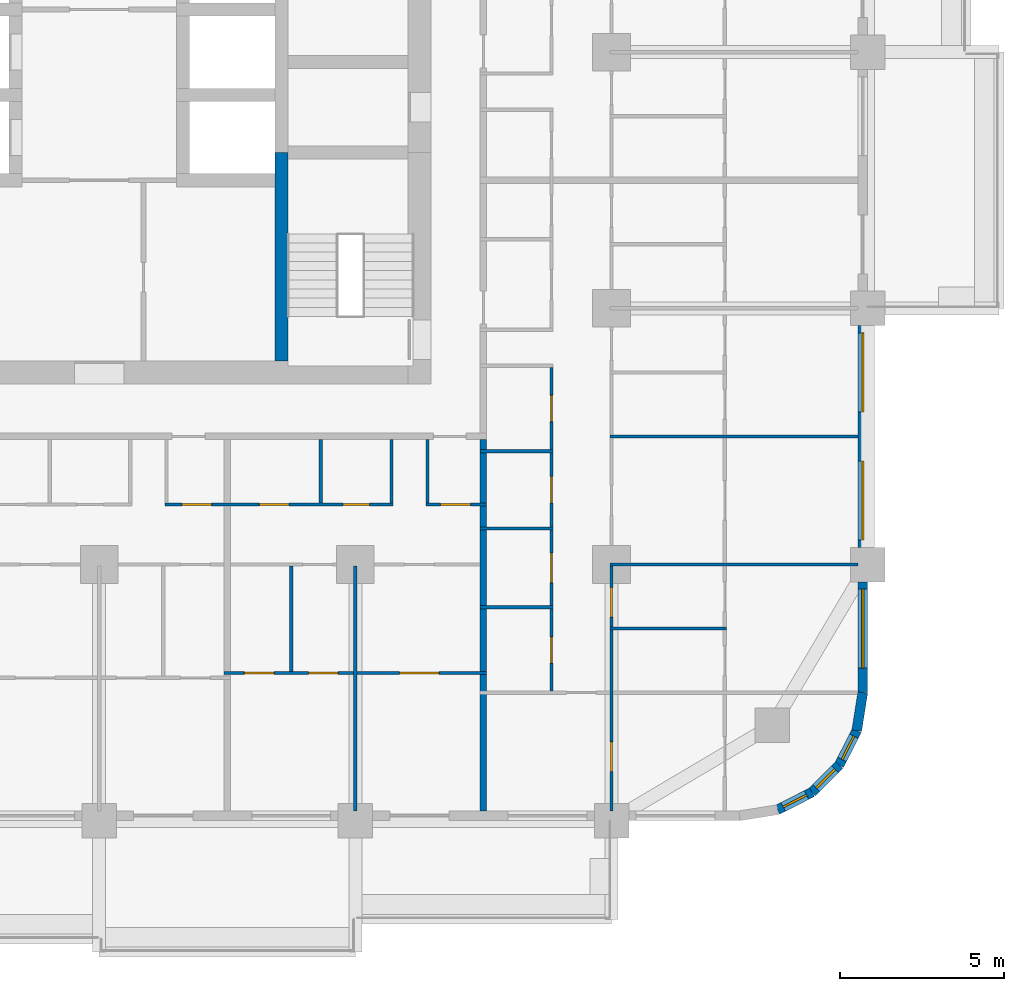
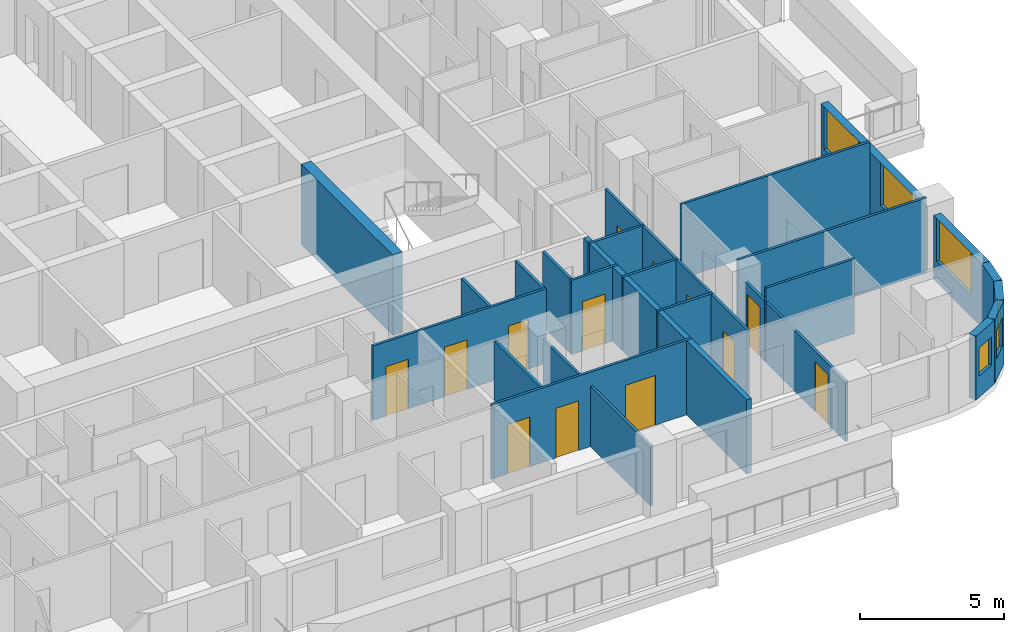
# One storey, part 7 of 17: 24 walls, 13 doors, 6 windows, 19 openings.
"""IFC4 building model written with IfcOpenShell, lengths in metres."""

from ifc_helpers import new_model, si_unit, direction, frame, frame_2d, origin, place, context, subcontext, project, spatial, rectangle, extrude, material, layer, layer_set, type_object, element, fill, save


model = new_model("IFC4")

# Units and contexts
model_context = context("Model", 3, precision=1e-05, world=origin(), true_north=direction((0.0, 1.0)))
body_context = subcontext(model_context, "Body", "Model", "MODEL_VIEW")
ifc_project = project(units=[si_unit("LENGTHUNIT", "METRE"), si_unit("AREAUNIT", "SQUARE_METRE"), si_unit("VOLUMEUNIT", "CUBIC_METRE"), si_unit("PLANEANGLEUNIT", "RADIAN"), si_unit("MASSUNIT", "GRAM", prefix="KILO")], contexts=[model_context])

# Site, building, storey
site_placement = place(None, origin())
site = spatial("IfcSite", under=ifc_project, at=site_placement, CompositionType="ELEMENT")
building_placement = place(site_placement, origin())
building = spatial("IfcBuilding", under=site, at=building_placement, Name="Ludao Terraces", CompositionType="ELEMENT")
storey_placement = place(building_placement, frame((0.0, 0.0, 39.89990234375)))
storey = spatial("IfcBuildingStorey", under=building, at=storey_placement, Name="L10", CompositionType="ELEMENT", Elevation=39.89990234375)

# Wall, opening, window
ifc_material_1 = material(Name="Granite cladding", Category="masonry")
ifc_layer_1 = layer(ifc_material_1, 0.0400390625, Category="stone")
ifc_material_2 = material(Name="Mineral wool")
ifc_layer_2 = layer(ifc_material_2, 0.06005859375)
ifc_material_3 = material(Name="Concrete C40", Category="concrete")
ifc_layer_3 = layer(ifc_material_3, 0.199951171875, Category="concrete")
ifc_layer_set_1 = layer_set([ifc_layer_1, ifc_layer_2, ifc_layer_3], Name="ENV Stone-clad wall 300")
wall_type_1 = type_object("IfcWallType", Name="ENV Stone-clad wall 300", PredefinedType="SOLIDWALL", material=ifc_layer_set_1)
wall_1_placement = place(storey_placement, frame((108.25, 45.5, 0.0), z_axis=(0.0, 0.0, 1.0), x_axis=(0.0, 1.0, 0.0)))
wall_1 = element("IfcWall", 1, at=wall_1_placement, inside=storey, type_object=wall_type_1, Name="EW-L10-E1", PredefinedType="SOLIDWALL", context=body_context, shape_type="SweptSolid", body=[
    extrude(rectangle(XDim=3.375, YDim=0.300048828125, at=frame_2d((1.6875, 0.0))), origin(), (0.0, 0.0, 1.0), 2.7001953125),
])
opening_1_placement = place(wall_1_placement, frame((0.75, 0.0, 0.89990234375)))
opening_1 = element("IfcOpeningElement", 2, at=opening_1_placement, cuts=wall_1, Name="Opening W1", PredefinedType="OPENING", context=body_context, shape_type="SweptSolid", body=[
    extrude(rectangle(XDim=2.39990234375, YDim=1.800048828125, at=frame_2d((1.199951171875, 0.89990234375))), frame((0.0, 0.16015625, 0.0), z_axis=(0.0, -1.0, 0.0), x_axis=(1.0, 0.0, 0.0)), (0.0, 0.0, 1.0), 0.320068359375),
])
ifc_material_4 = material(Name="Clear glass in aluminium frame", Category="aluminium")
ifc_layer_4 = layer(ifc_material_4, 0.06005859375)
ifc_layer_set_2 = layer_set([ifc_layer_4], Name="ENV Window W1 2400x1800")
window_type_1 = type_object("IfcWindowType", Name="ENV Window W1 2400x1800", PartitioningType="DOUBLE_PANEL_VERTICAL", PredefinedType="WINDOW", material=ifc_layer_set_2)
window_1_placement = place(opening_1_placement, origin())
window_1 = element("IfcWindow", 3, at=window_1_placement, inside=storey, type_object=window_type_1, Name="W-L10-E1-1", OverallHeight=1.800048828125, OverallWidth=2.39990234375, PartitioningType="DOUBLE_PANEL_VERTICAL", PredefinedType="WINDOW", context=body_context, shape_type="SweptSolid", body=[
    extrude(rectangle(XDim=2.39990234375, YDim=1.800048828125, at=frame_2d((1.199951171875, 0.89990234375))), frame((0.0, 0.030029296875, 0.0), z_axis=(0.0, -1.0, 0.0), x_axis=(1.0, 0.0, 0.0)), (0.0, 0.0, 1.0), 0.06005859375),
])
fill(opening_1, window_1)

# Wall, openings, windows
wall_2_placement = place(storey_placement, frame((108.25, 49.925048828125, 0.0), z_axis=(0.0, 0.0, 1.0), x_axis=(0.0, 1.0, 0.0)))
wall_2 = element("IfcWall", 4, at=wall_2_placement, inside=storey, type_object=wall_type_1, Name="EW-L10-E2", PredefinedType="SOLIDWALL", context=body_context, shape_type="SweptSolid", body=[
    extrude(rectangle(XDim=6.75, YDim=0.300048828125, at=frame_2d((3.375, 0.0))), origin(), (0.0, 0.0, 1.0), 2.7001953125),
])
opening_2_placement = place(wall_2_placement, frame((0.22509765625, 0.0, 0.89990234375)))
opening_2 = element("IfcOpeningElement", 5, at=opening_2_placement, cuts=wall_2, Name="Opening W1", PredefinedType="OPENING", context=body_context, shape_type="SweptSolid", body=[
    extrude(rectangle(XDim=2.39990234375, YDim=1.800048828125, at=frame_2d((1.199951171875, 0.89990234375))), frame((0.0, 0.16015625, 0.0), z_axis=(0.0, -1.0, 0.0), x_axis=(1.0, 0.0, 0.0)), (0.0, 0.0, 1.0), 0.320068359375),
])
opening_3_placement = place(wall_2_placement, frame((4.125, 0.0, 0.89990234375)))
opening_3 = element("IfcOpeningElement", 6, at=opening_3_placement, cuts=wall_2, Name="Opening W1", PredefinedType="OPENING", context=body_context, shape_type="SweptSolid", body=[
    extrude(rectangle(XDim=2.39990234375, YDim=1.800048828125, at=frame_2d((1.199951171875, 0.89990234375))), frame((0.0, 0.16015625, 0.0), z_axis=(0.0, -1.0, 0.0), x_axis=(1.0, 0.0, 0.0)), (0.0, 0.0, 1.0), 0.320068359375),
])
window_2_placement = place(opening_2_placement, origin())
window_2 = element("IfcWindow", 7, at=window_2_placement, inside=storey, type_object=window_type_1, Name="W-L10-E2-1", OverallHeight=1.800048828125, OverallWidth=2.39990234375, PartitioningType="DOUBLE_PANEL_VERTICAL", PredefinedType="WINDOW", context=body_context, shape_type="SweptSolid", body=[
    extrude(rectangle(XDim=2.39990234375, YDim=1.800048828125, at=frame_2d((1.199951171875, 0.89990234375))), frame((0.0, 0.030029296875, 0.0), z_axis=(0.0, -1.0, 0.0), x_axis=(1.0, 0.0, 0.0)), (0.0, 0.0, 1.0), 0.06005859375),
])
fill(opening_2, window_2)
window_3_placement = place(opening_3_placement, origin())
window_3 = element("IfcWindow", 8, at=window_3_placement, inside=storey, type_object=window_type_1, Name="W-L10-E2-2", OverallHeight=1.800048828125, OverallWidth=2.39990234375, PartitioningType="DOUBLE_PANEL_VERTICAL", PredefinedType="WINDOW", context=body_context, shape_type="SweptSolid", body=[
    extrude(rectangle(XDim=2.39990234375, YDim=1.800048828125, at=frame_2d((1.199951171875, 0.89990234375))), frame((0.0, 0.030029296875, 0.0), z_axis=(0.0, -1.0, 0.0), x_axis=(1.0, 0.0, 0.0)), (0.0, 0.0, 1.0), 0.06005859375),
])
fill(opening_3, window_3)

# Wall, opening, window
wall_3_placement = place(storey_placement, frame((105.65869140625, 41.93359375, 0.0), z_axis=(0.0, 0.0, 1.0), x_axis=(0.890988677504, 0.454025524128, 0.0)))
wall_3 = element("IfcWall", 9, at=wall_3_placement, inside=storey, type_object=wall_type_1, Name="EW-L10-SE2", PredefinedType="SOLIDWALL", context=body_context, shape_type="SweptSolid", body=[
    extrude(rectangle(XDim=1.17333984375, YDim=0.300048828125, at=frame_2d((0.586669921875, 0.0))), origin(), (0.0, 0.0, 1.0), 2.7001953125),
])
opening_4_placement = place(wall_3_placement, frame((0.1865234375, 0.0, 0.89990234375)))
opening_4 = element("IfcOpeningElement", 10, at=opening_4_placement, cuts=wall_3, Name="Opening W3", PredefinedType="OPENING", context=body_context, shape_type="SweptSolid", body=[
    extrude(rectangle(XDim=0.800048828125, YDim=1.199951171875, at=frame_2d((0.39990234375, 0.60009765625))), frame((0.0, 0.16015625, 0.0), z_axis=(0.0, -1.0, 0.0), x_axis=(1.0, 0.0, 0.0)), (0.0, 0.0, 1.0), 0.320068359375),
])
ifc_layer_5 = layer(ifc_material_4, 0.06005859375)
ifc_layer_set_3 = layer_set([ifc_layer_5], Name="ENV Window W3 800x1200")
window_type_2 = type_object("IfcWindowType", Name="ENV Window W3 800x1200", PartitioningType="SINGLE_PANEL", PredefinedType="WINDOW", material=ifc_layer_set_3)
window_4_placement = place(opening_4_placement, origin())
window_4 = element("IfcWindow", 11, at=window_4_placement, inside=storey, type_object=window_type_2, Name="W-L10-SE2", OverallHeight=1.199951171875, OverallWidth=0.800048828125, PartitioningType="SINGLE_PANEL", PredefinedType="WINDOW", context=body_context, shape_type="SweptSolid", body=[
    extrude(rectangle(XDim=0.800048828125, YDim=1.199951171875, at=frame_2d((0.39990234375, 0.60009765625))), frame((0.0, 0.030029296875, 0.0), z_axis=(0.0, -1.0, 0.0), x_axis=(1.0, 0.0, 0.0)), (0.0, 0.0, 1.0), 0.06005859375),
])
fill(opening_4, window_4)

wall_4_placement = place(storey_placement, frame((106.7041015625, 42.46630859375, 0.0), z_axis=(0.0, 0.0, 1.0), x_axis=(0.707106781187, 0.707106781187, 0.0)))
wall_4 = element("IfcWall", 12, at=wall_4_placement, inside=storey, type_object=wall_type_1, Name="EW-L10-SE3", PredefinedType="SOLIDWALL", context=body_context, shape_type="SweptSolid", body=[
    extrude(rectangle(XDim=1.173095703125, YDim=0.300048828125, at=frame_2d((0.58642578125, 0.0))), origin(), (0.0, 0.0, 1.0), 2.7001953125),
])
opening_5_placement = place(wall_4_placement, frame((0.1865234375, 0.0, 0.89990234375)))
opening_5 = element("IfcOpeningElement", 13, at=opening_5_placement, cuts=wall_4, Name="Opening W3", PredefinedType="OPENING", context=body_context, shape_type="SweptSolid", body=[
    extrude(rectangle(XDim=0.800048828125, YDim=1.199951171875, at=frame_2d((0.39990234375, 0.60009765625))), frame((0.0, 0.16015625, 0.0), z_axis=(0.0, -1.0, 0.0), x_axis=(1.0, 0.0, 0.0)), (0.0, 0.0, 1.0), 0.320068359375),
])
window_5_placement = place(opening_5_placement, origin())
window_5 = element("IfcWindow", 14, at=window_5_placement, inside=storey, type_object=window_type_2, Name="W-L10-SE3", OverallHeight=1.199951171875, OverallWidth=0.800048828125, PartitioningType="SINGLE_PANEL", PredefinedType="WINDOW", context=body_context, shape_type="SweptSolid", body=[
    extrude(rectangle(XDim=0.800048828125, YDim=1.199951171875, at=frame_2d((0.39990234375, 0.60009765625))), frame((0.0, 0.030029296875, 0.0), z_axis=(0.0, -1.0, 0.0), x_axis=(1.0, 0.0, 0.0)), (0.0, 0.0, 1.0), 0.06005859375),
])
fill(opening_5, window_5)

wall_5_placement = place(storey_placement, frame((107.53369140625, 43.2958984375, 0.0), z_axis=(0.0, 0.0, 1.0), x_axis=(0.454025524128, 0.890988677504, 0.0)))
wall_5 = element("IfcWall", 15, at=wall_5_placement, inside=storey, type_object=wall_type_1, Name="EW-L10-SE4", PredefinedType="SOLIDWALL", context=body_context, shape_type="SweptSolid", body=[
    extrude(rectangle(XDim=1.17333984375, YDim=0.300048828125, at=frame_2d((0.586669921875, 0.0))), origin(), (0.0, 0.0, 1.0), 2.7001953125),
])
opening_6_placement = place(wall_5_placement, frame((0.1865234375, 0.0, 0.89990234375)))
opening_6 = element("IfcOpeningElement", 16, at=opening_6_placement, cuts=wall_5, Name="Opening W3", PredefinedType="OPENING", context=body_context, shape_type="SweptSolid", body=[
    extrude(rectangle(XDim=0.800048828125, YDim=1.199951171875, at=frame_2d((0.39990234375, 0.60009765625))), frame((0.0, 0.16015625, 0.0), z_axis=(0.0, -1.0, 0.0), x_axis=(1.0, 0.0, 0.0)), (0.0, 0.0, 1.0), 0.320068359375),
])
window_6_placement = place(opening_6_placement, origin())
window_6 = element("IfcWindow", 17, at=window_6_placement, inside=storey, type_object=window_type_2, Name="W-L10-SE4", OverallHeight=1.199951171875, OverallWidth=0.800048828125, PartitioningType="SINGLE_PANEL", PredefinedType="WINDOW", context=body_context, shape_type="SweptSolid", body=[
    extrude(rectangle(XDim=0.800048828125, YDim=1.199951171875, at=frame_2d((0.39990234375, 0.60009765625))), frame((0.0, 0.030029296875, 0.0), z_axis=(0.0, -1.0, 0.0), x_axis=(1.0, 0.0, 0.0)), (0.0, 0.0, 1.0), 0.06005859375),
])
fill(opening_6, window_6)

# Wall
wall_6_placement = place(storey_placement, frame((108.06640625, 44.34130859375, 0.0), z_axis=(0.0, 0.0, 1.0), x_axis=(0.156496880861, 0.987678452879, 0.0)))
element("IfcWall", 18, at=wall_6_placement, inside=storey, type_object=wall_type_1, Name="EW-L10-SE5", PredefinedType="SOLIDWALL", context=body_context, shape_type="SweptSolid", body=[
    extrude(rectangle(XDim=1.173095703125, YDim=0.300048828125, at=frame_2d((0.58642578125, 0.0))), origin(), (0.0, 0.0, 1.0), 2.7001953125),
])

# Wall, openings, doors
ifc_material_5 = material(Name="Gypsum plasterboard", Category="gypsum")
ifc_layer_6 = layer(ifc_material_5, 0.012451171875, Category="gypsum")
ifc_layer_7 = layer(ifc_material_2, 0.06005859375, Name="insulation")
ifc_material_6 = material(Name="Steel Q235", Category="steel")
ifc_layer_8 = layer(ifc_material_6, 0.014892578125, Name="stud")
ifc_layer_9 = layer(ifc_material_5, 0.012451171875, Category="gypsum")
ifc_layer_set_4 = layer_set([ifc_layer_6, ifc_layer_7, ifc_layer_8, ifc_layer_9], Name="INT Partition 100")
wall_type_2 = type_object("IfcWallType", Name="INT Partition 100", PredefinedType="PARTITIONING", material=ifc_layer_set_4)
wall_7_placement = place(storey_placement, frame((88.800048828125, 46.10009765625, 0.0), z_axis=(0.0, 0.0, 1.0), x_axis=(1.0, 0.0, 0.0)))
wall_7 = element("IfcWall", 19, at=wall_7_placement, inside=storey, type_object=wall_type_2, Name="PW-L10-PW004", PredefinedType="PARTITIONING", context=body_context, shape_type="SweptSolid", body=[
    extrude(rectangle(XDim=8.0, YDim=0.10009765625, at=frame_2d((4.0, 0.0))), origin(), (0.0, 0.0, 1.0), 3.150146484375),
])
opening_7_placement = place(wall_7_placement, frame((0.625, 0.0, 0.0)))
opening_7 = element("IfcOpeningElement", 20, at=opening_7_placement, cuts=wall_7, Name="Opening R03-013", PredefinedType="OPENING", context=body_context, shape_type="SweptSolid", body=[
    extrude(rectangle(XDim=0.89990234375, YDim=2.10009765625, at=frame_2d((0.449951171875, 1.050048828125))), frame((0.0, 0.06005859375, 0.0), z_axis=(0.0, -1.0, 0.0), x_axis=(1.0, 0.0, 0.0)), (0.0, 0.0, 1.0), 0.1201171875),
])
opening_8_placement = place(wall_7_placement, frame((2.574951171875, 0.0, 0.0)))
opening_8 = element("IfcOpeningElement", 21, at=opening_8_placement, cuts=wall_7, Name="Opening R03-014", PredefinedType="OPENING", context=body_context, shape_type="SweptSolid", body=[
    extrude(rectangle(XDim=0.89990234375, YDim=2.10009765625, at=frame_2d((0.449951171875, 1.050048828125))), frame((0.0, 0.06005859375, 0.0), z_axis=(0.0, -1.0, 0.0), x_axis=(1.0, 0.0, 0.0)), (0.0, 0.0, 1.0), 0.1201171875),
])
opening_9_placement = place(wall_7_placement, frame((5.35009765625, 0.0, 0.0)))
opening_9 = element("IfcOpeningElement", 22, at=opening_9_placement, cuts=wall_7, Name="Opening R03-015", PredefinedType="OPENING", context=body_context, shape_type="SweptSolid", body=[
    extrude(rectangle(XDim=1.199951171875, YDim=2.10009765625, at=frame_2d((0.60009765625, 1.050048828125))), frame((0.0, 0.06005859375, 0.0), z_axis=(0.0, -1.0, 0.0), x_axis=(1.0, 0.0, 0.0)), (0.0, 0.0, 1.0), 0.1201171875),
])
ifc_material_7 = material(Name="Timber door leaf", Category="wood")
door_type_1 = type_object("IfcDoorType", Name="INT Bathroom door 900", OperationType="SINGLE_SWING_LEFT", PredefinedType="DOOR", material=ifc_material_7)
door_1_placement = place(opening_7_placement, origin())
door_1 = element("IfcDoor", 23, at=door_1_placement, inside=storey, type_object=door_type_1, Name="DOOR 013", OperationType="SINGLE_SWING_LEFT", OverallHeight=2.10009765625, OverallWidth=0.89990234375, PredefinedType="DOOR", context=body_context, shape_type="SweptSolid", body=[
    extrude(rectangle(XDim=0.89990234375, YDim=2.10009765625, at=frame_2d((0.449951171875, 1.050048828125))), frame((0.0, 0.02490234375, 0.0), z_axis=(0.0, -1.0, 0.0), x_axis=(1.0, 0.0, 0.0)), (0.0, 0.0, 1.0), 0.050048828125),
])
fill(opening_7, door_1)
door_type_2 = type_object("IfcDoorType", Name="INT Double door 1200", OperationType="DOUBLE_DOOR_SINGLE_SWING", PredefinedType="DOOR", material=ifc_material_7)
door_2_placement = place(opening_9_placement, origin())
door_2 = element("IfcDoor", 24, at=door_2_placement, inside=storey, type_object=door_type_2, Name="DOOR 015", OperationType="DOUBLE_DOOR_SINGLE_SWING", OverallHeight=2.10009765625, OverallWidth=1.199951171875, PredefinedType="DOOR", context=body_context, shape_type="SweptSolid", body=[
    extrude(rectangle(XDim=1.199951171875, YDim=2.10009765625, at=frame_2d((0.60009765625, 1.050048828125))), frame((0.0, 0.02490234375, 0.0), z_axis=(0.0, -1.0, 0.0), x_axis=(1.0, 0.0, 0.0)), (0.0, 0.0, 1.0), 0.050048828125),
])
fill(opening_9, door_2)
door_type_3 = type_object("IfcDoorType", Name="INT Room door 900", OperationType="SINGLE_SWING_LEFT", PredefinedType="DOOR", material=ifc_material_7)
door_3_placement = place(opening_8_placement, origin())
door_3 = element("IfcDoor", 25, at=door_3_placement, inside=storey, type_object=door_type_3, Name="DOOR 014", OperationType="SINGLE_SWING_RIGHT", OverallHeight=2.10009765625, OverallWidth=0.89990234375, PredefinedType="DOOR", context=body_context, shape_type="SweptSolid", body=[
    extrude(rectangle(XDim=0.89990234375, YDim=2.10009765625, at=frame_2d((0.449951171875, 1.050048828125))), frame((0.0, 0.02490234375, 0.0), z_axis=(0.0, -1.0, 0.0), x_axis=(1.0, 0.0, 0.0)), (0.0, 0.0, 1.0), 0.050048828125),
])
fill(opening_8, door_3)

# Walls
wall_8_placement = place(storey_placement, frame((100.550048828125, 47.449951171875, 0.0), z_axis=(0.0, 0.0, 1.0), x_axis=(1.0, 0.0, 0.0)))
element("IfcWall", 26, at=wall_8_placement, inside=storey, type_object=wall_type_2, Name="PW-L10-PW006", PredefinedType="PARTITIONING", context=body_context, shape_type="SweptSolid", body=[
    extrude(rectangle(XDim=3.550048828125, YDim=0.10009765625, at=frame_2d((1.77490234375, 0.0))), origin(), (0.0, 0.0, 1.0), 3.150146484375),
])
wall_9_placement = place(storey_placement, frame((96.60009765625, 48.10009765625, 0.0), z_axis=(0.0, 0.0, 1.0), x_axis=(1.0, 0.0, 0.0)))
element("IfcWall", 27, at=wall_9_placement, inside=storey, type_object=wall_type_2, Name="PW-L10-PW007", PredefinedType="PARTITIONING", context=body_context, shape_type="SweptSolid", body=[
    extrude(rectangle(XDim=2.219970703125, YDim=0.10009765625, at=frame_2d((1.10986328125, 0.0))), origin(), (0.0, 0.0, 1.0), 3.150146484375),
])
wall_10_placement = place(storey_placement, frame((100.550048828125, 49.39990234375, 0.0), z_axis=(0.0, 0.0, 1.0), x_axis=(1.0, 0.0, 0.0)))
element("IfcWall", 28, at=wall_10_placement, inside=storey, type_object=wall_type_2, Name="PW-L10-PW011", PredefinedType="PARTITIONING", context=body_context, shape_type="SweptSolid", body=[
    extrude(rectangle(XDim=7.550048828125, YDim=0.10009765625, at=frame_2d((3.77490234375, 0.0))), origin(), (0.0, 0.0, 1.0), 3.150146484375),
])
wall_11_placement = place(storey_placement, frame((96.60009765625, 50.5, 0.0), z_axis=(0.0, 0.0, 1.0), x_axis=(1.0, 0.0, 0.0)))
element("IfcWall", 29, at=wall_11_placement, inside=storey, type_object=wall_type_2, Name="PW-L10-PW013", PredefinedType="PARTITIONING", context=body_context, shape_type="SweptSolid", body=[
    extrude(rectangle(XDim=2.219970703125, YDim=0.10009765625, at=frame_2d((1.10986328125, 0.0))), origin(), (0.0, 0.0, 1.0), 3.150146484375),
])

# Wall, openings, doors
wall_12_placement = place(storey_placement, frame((87.0, 51.22998046875, 0.0), z_axis=(0.0, 0.0, 1.0), x_axis=(1.0, 0.0, 0.0)))
wall_12 = element("IfcWall", 30, at=wall_12_placement, inside=storey, type_object=wall_type_2, Name="PW-L10-PW016", PredefinedType="PARTITIONING", context=body_context, shape_type="SweptSolid", body=[
    extrude(rectangle(XDim=6.9501953125, YDim=0.10009765625, at=frame_2d((3.47509765625, 0.0))), origin(), (0.0, 0.0, 1.0), 3.150146484375),
])
opening_10_placement = place(wall_12_placement, frame((0.525146484375, 0.0, 0.0)))
opening_10 = element("IfcOpeningElement", 31, at=opening_10_placement, cuts=wall_12, Name="Opening R03-037", PredefinedType="OPENING", context=body_context, shape_type="SweptSolid", body=[
    extrude(rectangle(XDim=0.89990234375, YDim=2.10009765625, at=frame_2d((0.449951171875, 1.050048828125))), frame((0.0, 0.06005859375, 0.0), z_axis=(0.0, -1.0, 0.0), x_axis=(1.0, 0.0, 0.0)), (0.0, 0.0, 1.0), 0.1201171875),
])
opening_11_placement = place(wall_12_placement, frame((2.875, 0.0, 0.0)))
opening_11 = element("IfcOpeningElement", 32, at=opening_11_placement, cuts=wall_12, Name="Opening R03-038", PredefinedType="OPENING", context=body_context, shape_type="SweptSolid", body=[
    extrude(rectangle(XDim=0.89990234375, YDim=2.10009765625, at=frame_2d((0.449951171875, 1.050048828125))), frame((0.0, 0.06005859375, 0.0), z_axis=(0.0, -1.0, 0.0), x_axis=(1.0, 0.0, 0.0)), (0.0, 0.0, 1.0), 0.1201171875),
])
opening_12_placement = place(wall_12_placement, frame((5.425048828125, 0.0, 0.0)))
opening_12 = element("IfcOpeningElement", 33, at=opening_12_placement, cuts=wall_12, Name="Opening R03-039", PredefinedType="OPENING", context=body_context, shape_type="SweptSolid", body=[
    extrude(rectangle(XDim=0.800048828125, YDim=2.10009765625, at=frame_2d((0.39990234375, 1.050048828125))), frame((0.0, 0.06005859375, 0.0), z_axis=(0.0, -1.0, 0.0), x_axis=(1.0, 0.0, 0.0)), (0.0, 0.0, 1.0), 0.1201171875),
])
door_4_placement = place(opening_10_placement, origin())
door_4 = element("IfcDoor", 34, at=door_4_placement, inside=storey, type_object=door_type_3, Name="DOOR 037", OperationType="SINGLE_SWING_RIGHT", OverallHeight=2.10009765625, OverallWidth=0.89990234375, PredefinedType="DOOR", context=body_context, shape_type="SweptSolid", body=[
    extrude(rectangle(XDim=0.89990234375, YDim=2.10009765625, at=frame_2d((0.449951171875, 1.050048828125))), frame((0.0, 0.02490234375, 0.0), z_axis=(0.0, -1.0, 0.0), x_axis=(1.0, 0.0, 0.0)), (0.0, 0.0, 1.0), 0.050048828125),
])
fill(opening_10, door_4)
door_5_placement = place(opening_11_placement, origin())
door_5 = element("IfcDoor", 35, at=door_5_placement, inside=storey, type_object=door_type_3, Name="DOOR 038", OperationType="SINGLE_SWING_LEFT", OverallHeight=2.10009765625, OverallWidth=0.89990234375, PredefinedType="DOOR", context=body_context, shape_type="SweptSolid", body=[
    extrude(rectangle(XDim=0.89990234375, YDim=2.10009765625, at=frame_2d((0.449951171875, 1.050048828125))), frame((0.0, 0.02490234375, 0.0), z_axis=(0.0, -1.0, 0.0), x_axis=(1.0, 0.0, 0.0)), (0.0, 0.0, 1.0), 0.050048828125),
])
fill(opening_11, door_5)
door_type_4 = type_object("IfcDoorType", Name="INT Store door 800", OperationType="SINGLE_SWING_LEFT", PredefinedType="DOOR", material=ifc_material_7)
door_6_placement = place(opening_12_placement, origin())
door_6 = element("IfcDoor", 36, at=door_6_placement, inside=storey, type_object=door_type_4, Name="DOOR 039", OperationType="SINGLE_SWING_RIGHT", OverallHeight=2.10009765625, OverallWidth=0.800048828125, PredefinedType="DOOR", context=body_context, shape_type="SweptSolid", body=[
    extrude(rectangle(XDim=0.800048828125, YDim=2.10009765625, at=frame_2d((0.39990234375, 1.050048828125))), frame((0.0, 0.02490234375, 0.0), z_axis=(0.0, -1.0, 0.0), x_axis=(1.0, 0.0, 0.0)), (0.0, 0.0, 1.0), 0.050048828125),
])
fill(opening_12, door_6)

# Wall, opening, door
wall_13_placement = place(storey_placement, frame((94.9501953125, 51.22998046875, 0.0), z_axis=(0.0, 0.0, 1.0), x_axis=(1.0, 0.0, 0.0)))
wall_13 = element("IfcWall", 37, at=wall_13_placement, inside=storey, type_object=wall_type_2, Name="PW-L10-PW017", PredefinedType="PARTITIONING", context=body_context, shape_type="SweptSolid", body=[
    extrude(rectangle(XDim=1.849853515625, YDim=0.10009765625, at=frame_2d((0.9248046875, 0.0))), origin(), (0.0, 0.0, 1.0), 3.150146484375),
])
opening_13_placement = place(wall_13_placement, frame((0.449951171875, 0.0, 0.0)))
opening_13 = element("IfcOpeningElement", 38, at=opening_13_placement, cuts=wall_13, Name="Opening R03-040", PredefinedType="OPENING", context=body_context, shape_type="SweptSolid", body=[
    extrude(rectangle(XDim=0.89990234375, YDim=2.10009765625, at=frame_2d((0.449951171875, 1.050048828125))), frame((0.0, 0.06005859375, 0.0), z_axis=(0.0, -1.0, 0.0), x_axis=(1.0, 0.0, 0.0)), (0.0, 0.0, 1.0), 0.1201171875),
])
door_7_placement = place(opening_13_placement, origin())
door_7 = element("IfcDoor", 39, at=door_7_placement, inside=storey, type_object=door_type_1, Name="DOOR 040", OperationType="SINGLE_SWING_RIGHT", OverallHeight=2.10009765625, OverallWidth=0.89990234375, PredefinedType="DOOR", context=body_context, shape_type="SweptSolid", body=[
    extrude(rectangle(XDim=0.89990234375, YDim=2.10009765625, at=frame_2d((0.449951171875, 1.050048828125))), frame((0.0, 0.02490234375, 0.0), z_axis=(0.0, -1.0, 0.0), x_axis=(1.0, 0.0, 0.0)), (0.0, 0.0, 1.0), 0.050048828125),
])
fill(opening_13, door_7)

# Walls
wall_14_placement = place(storey_placement, frame((96.60009765625, 52.85009765625, 0.0), z_axis=(0.0, 0.0, 1.0), x_axis=(1.0, 0.0, 0.0)))
element("IfcWall", 40, at=wall_14_placement, inside=storey, type_object=wall_type_2, Name="PW-L10-PW018", PredefinedType="PARTITIONING", context=body_context, shape_type="SweptSolid", body=[
    extrude(rectangle(XDim=2.219970703125, YDim=0.10009765625, at=frame_2d((1.10986328125, 0.0))), origin(), (0.0, 0.0, 1.0), 3.150146484375),
])
wall_15_placement = place(storey_placement, frame((100.550048828125, 53.300048828125, 0.0), z_axis=(0.0, 0.0, 1.0), x_axis=(1.0, 0.0, 0.0)))
element("IfcWall", 41, at=wall_15_placement, inside=storey, type_object=wall_type_2, Name="PW-L10-PW022", PredefinedType="PARTITIONING", context=body_context, shape_type="SweptSolid", body=[
    extrude(rectangle(XDim=7.550048828125, YDim=0.10009765625, at=frame_2d((3.77490234375, 0.0))), origin(), (0.0, 0.0, 1.0), 3.150146484375),
])
wall_16_placement = place(storey_placement, frame((90.85009765625, 46.150146484375, 0.0), z_axis=(0.0, 0.0, 1.0), x_axis=(0.0, 1.0, 0.0)))
element("IfcWall", 42, at=wall_16_placement, inside=storey, type_object=wall_type_2, Name="PW-L10-PW110", PredefinedType="PARTITIONING", context=body_context, shape_type="SweptSolid", body=[
    extrude(rectangle(XDim=3.199951171875, YDim=0.10009765625, at=frame_2d((1.60009765625, 0.0))), origin(), (0.0, 0.0, 1.0), 3.150146484375),
])
wall_17_placement = place(storey_placement, frame((91.75, 51.280029296875, 0.0), z_axis=(0.0, 0.0, 1.0), x_axis=(0.0, 1.0, 0.0)))
element("IfcWall", 43, at=wall_17_placement, inside=storey, type_object=wall_type_2, Name="PW-L10-PW111", PredefinedType="PARTITIONING", context=body_context, shape_type="SweptSolid", body=[
    extrude(rectangle(XDim=1.920166015625, YDim=0.10009765625, at=frame_2d((0.9599609375, 0.0))), origin(), (0.0, 0.0, 1.0), 3.150146484375),
])
wall_18_placement = place(storey_placement, frame((92.800048828125, 41.900146484375, 0.0), z_axis=(0.0, 0.0, 1.0), x_axis=(0.0, 1.0, 0.0)))
element("IfcWall", 44, at=wall_18_placement, inside=storey, type_object=wall_type_2, Name="PW-L10-PW112", PredefinedType="PARTITIONING", context=body_context, shape_type="SweptSolid", body=[
    extrude(rectangle(XDim=7.449951171875, YDim=0.10009765625, at=frame_2d((3.72509765625, 0.0))), origin(), (0.0, 0.0, 1.0), 2.550048828125),
])
for number, where, z_axis, x_axis, name in (
    (45, (93.89990234375, 51.280029296875, 0.0), (0.0, 0.0, 1.0), (0.0, 1.0, 0.0), "PW-L10-PW114"),
    (46, (95.0, 51.280029296875, 0.0), (0.0, 0.0, 1.0), (0.0, 1.0, 0.0), "PW-L10-PW115"),
):
    element("IfcWall", number, at=place(storey_placement, frame(where, z_axis=z_axis, x_axis=x_axis)), inside=storey, type_object=wall_type_2, Name=name, PredefinedType="PARTITIONING", context=body_context, shape_type="SweptSolid", body=[
        extrude(rectangle(XDim=1.920166015625, YDim=0.10009765625, at=frame_2d((0.9599609375, 0.0))), origin(), (0.0, 0.0, 1.0), 3.150146484375),
    ])

# Wall, openings, doors
wall_19_placement = place(storey_placement, frame((98.77001953125, 45.550048828125, 0.0), z_axis=(0.0, 0.0, 1.0), x_axis=(0.0, 1.0, 0.0)))
wall_19 = element("IfcWall", 47, at=wall_19_placement, inside=storey, type_object=wall_type_2, Name="PW-L10-PW119", PredefinedType="PARTITIONING", context=body_context, shape_type="SweptSolid", body=[
    extrude(rectangle(XDim=9.85009765625, YDim=0.10009765625, at=frame_2d((4.925048828125, 0.0))), origin(), (0.0, 0.0, 1.0), 3.150146484375),
])
opening_14_placement = place(wall_19_placement, frame((0.85009765625, 0.0, 0.0)))
opening_14 = element("IfcOpeningElement", 48, at=opening_14_placement, cuts=wall_19, Name="Opening R03-018", PredefinedType="OPENING", context=body_context, shape_type="SweptSolid", body=[
    extrude(rectangle(XDim=0.800048828125, YDim=2.10009765625, at=frame_2d((0.39990234375, 1.050048828125))), frame((0.0, 0.06005859375, 0.0), z_axis=(0.0, -1.0, 0.0), x_axis=(1.0, 0.0, 0.0)), (0.0, 0.0, 1.0), 0.1201171875),
])
opening_15_placement = place(wall_19_placement, frame((3.300048828125, 0.0, 0.0)))
opening_15 = element("IfcOpeningElement", 49, at=opening_15_placement, cuts=wall_19, Name="Opening R03-024", PredefinedType="OPENING", context=body_context, shape_type="SweptSolid", body=[
    extrude(rectangle(XDim=0.89990234375, YDim=2.10009765625, at=frame_2d((0.449951171875, 1.050048828125))), frame((0.0, 0.06005859375, 0.0), z_axis=(0.0, -1.0, 0.0), x_axis=(1.0, 0.0, 0.0)), (0.0, 0.0, 1.0), 0.1201171875),
])
opening_16_placement = place(wall_19_placement, frame((5.72509765625, 0.0, 0.0)))
opening_16 = element("IfcOpeningElement", 50, at=opening_16_placement, cuts=wall_19, Name="Opening R03-045", PredefinedType="OPENING", context=body_context, shape_type="SweptSolid", body=[
    extrude(rectangle(XDim=0.800048828125, YDim=2.10009765625, at=frame_2d((0.39990234375, 1.050048828125))), frame((0.0, 0.06005859375, 0.0), z_axis=(0.0, -1.0, 0.0), x_axis=(1.0, 0.0, 0.0)), (0.0, 0.0, 1.0), 0.1201171875),
])
opening_17_placement = place(wall_19_placement, frame((8.199951171875, 0.0, 0.0)))
opening_17 = element("IfcOpeningElement", 51, at=opening_17_placement, cuts=wall_19, Name="Opening R03-050", PredefinedType="OPENING", context=body_context, shape_type="SweptSolid", body=[
    extrude(rectangle(XDim=0.800048828125, YDim=2.10009765625, at=frame_2d((0.39990234375, 1.050048828125))), frame((0.0, 0.06005859375, 0.0), z_axis=(0.0, -1.0, 0.0), x_axis=(1.0, 0.0, 0.0)), (0.0, 0.0, 1.0), 0.1201171875),
])
door_8_placement = place(opening_15_placement, origin())
door_8 = element("IfcDoor", 52, at=door_8_placement, inside=storey, type_object=door_type_1, Name="DOOR 024", OperationType="SINGLE_SWING_LEFT", OverallHeight=2.10009765625, OverallWidth=0.89990234375, PredefinedType="DOOR", context=body_context, shape_type="SweptSolid", body=[
    extrude(rectangle(XDim=0.89990234375, YDim=2.10009765625, at=frame_2d((0.449951171875, 1.050048828125))), frame((0.0, 0.02490234375, 0.0), z_axis=(0.0, -1.0, 0.0), x_axis=(1.0, 0.0, 0.0)), (0.0, 0.0, 1.0), 0.050048828125),
])
fill(opening_15, door_8)
door_9_placement = place(opening_14_placement, origin())
door_9 = element("IfcDoor", 53, at=door_9_placement, inside=storey, type_object=door_type_4, Name="DOOR 018", OperationType="SINGLE_SWING_LEFT", OverallHeight=2.10009765625, OverallWidth=0.800048828125, PredefinedType="DOOR", context=body_context, shape_type="SweptSolid", body=[
    extrude(rectangle(XDim=0.800048828125, YDim=2.10009765625, at=frame_2d((0.39990234375, 1.050048828125))), frame((0.0, 0.02490234375, 0.0), z_axis=(0.0, -1.0, 0.0), x_axis=(1.0, 0.0, 0.0)), (0.0, 0.0, 1.0), 0.050048828125),
])
fill(opening_14, door_9)
door_10_placement = place(opening_16_placement, origin())
door_10 = element("IfcDoor", 54, at=door_10_placement, inside=storey, type_object=door_type_4, Name="DOOR 045", OperationType="SINGLE_SWING_LEFT", OverallHeight=2.10009765625, OverallWidth=0.800048828125, PredefinedType="DOOR", context=body_context, shape_type="SweptSolid", body=[
    extrude(rectangle(XDim=0.800048828125, YDim=2.10009765625, at=frame_2d((0.39990234375, 1.050048828125))), frame((0.0, 0.02490234375, 0.0), z_axis=(0.0, -1.0, 0.0), x_axis=(1.0, 0.0, 0.0)), (0.0, 0.0, 1.0), 0.050048828125),
])
fill(opening_16, door_10)
door_11_placement = place(opening_17_placement, origin())
door_11 = element("IfcDoor", 55, at=door_11_placement, inside=storey, type_object=door_type_4, Name="DOOR 050", OperationType="SINGLE_SWING_LEFT", OverallHeight=2.10009765625, OverallWidth=0.800048828125, PredefinedType="DOOR", context=body_context, shape_type="SweptSolid", body=[
    extrude(rectangle(XDim=0.800048828125, YDim=2.10009765625, at=frame_2d((0.39990234375, 1.050048828125))), frame((0.0, 0.02490234375, 0.0), z_axis=(0.0, -1.0, 0.0), x_axis=(1.0, 0.0, 0.0)), (0.0, 0.0, 1.0), 0.050048828125),
])
fill(opening_17, door_11)

wall_20_placement = place(storey_placement, frame((100.60009765625, 41.900146484375, 0.0), z_axis=(0.0, 0.0, 1.0), x_axis=(0.0, 1.0, 0.0)))
wall_20 = element("IfcWall", 56, at=wall_20_placement, inside=storey, type_object=wall_type_2, Name="PW-L10-PW123", PredefinedType="PARTITIONING", context=body_context, shape_type="SweptSolid", body=[
    extrude(rectangle(XDim=7.499755859375, YDim=0.10009765625, at=frame_2d((3.75, 0.0))), origin(), (0.0, 0.0, 1.0), 2.550048828125),
])
opening_18_placement = place(wall_20_placement, frame((1.199951171875, 0.0, 0.0)))
opening_18 = element("IfcOpeningElement", 57, at=opening_18_placement, cuts=wall_20, Name="Opening R03-003", PredefinedType="OPENING", context=body_context, shape_type="SweptSolid", body=[
    extrude(rectangle(XDim=0.89990234375, YDim=2.10009765625, at=frame_2d((0.449951171875, 1.050048828125))), frame((0.0, 0.06005859375, 0.0), z_axis=(0.0, -1.0, 0.0), x_axis=(1.0, 0.0, 0.0)), (0.0, 0.0, 1.0), 0.1201171875),
])
opening_19_placement = place(wall_20_placement, frame((5.89990234375, 0.0, 0.0)))
opening_19 = element("IfcOpeningElement", 58, at=opening_19_placement, cuts=wall_20, Name="Opening R03-021", PredefinedType="OPENING", context=body_context, shape_type="SweptSolid", body=[
    extrude(rectangle(XDim=0.89990234375, YDim=2.10009765625, at=frame_2d((0.449951171875, 1.050048828125))), frame((0.0, 0.06005859375, 0.0), z_axis=(0.0, -1.0, 0.0), x_axis=(1.0, 0.0, 0.0)), (0.0, 0.0, 1.0), 0.1201171875),
])
door_12_placement = place(opening_18_placement, origin())
door_12 = element("IfcDoor", 59, at=door_12_placement, inside=storey, type_object=door_type_3, Name="DOOR 003", OperationType="SINGLE_SWING_RIGHT", OverallHeight=2.10009765625, OverallWidth=0.89990234375, PredefinedType="DOOR", context=body_context, shape_type="SweptSolid", body=[
    extrude(rectangle(XDim=0.89990234375, YDim=2.10009765625, at=frame_2d((0.449951171875, 1.050048828125))), frame((0.0, 0.02490234375, 0.0), z_axis=(0.0, -1.0, 0.0), x_axis=(1.0, 0.0, 0.0)), (0.0, 0.0, 1.0), 0.050048828125),
])
fill(opening_18, door_12)
door_13_placement = place(opening_19_placement, origin())
door_13 = element("IfcDoor", 60, at=door_13_placement, inside=storey, type_object=door_type_3, Name="DOOR 021", OperationType="SINGLE_SWING_RIGHT", OverallHeight=2.10009765625, OverallWidth=0.89990234375, PredefinedType="DOOR", context=body_context, shape_type="SweptSolid", body=[
    extrude(rectangle(XDim=0.89990234375, YDim=2.10009765625, at=frame_2d((0.449951171875, 1.050048828125))), frame((0.0, 0.02490234375, 0.0), z_axis=(0.0, -1.0, 0.0), x_axis=(1.0, 0.0, 0.0)), (0.0, 0.0, 1.0), 0.050048828125),
])
fill(opening_19, door_13)

# Walls
ifc_material_8 = material(Name="Autoclaved aerated concrete block B06 A3.5", Category="concrete")
ifc_layer_10 = layer(ifc_material_8, 0.199951171875)
ifc_layer_set_5 = layer_set([ifc_layer_10], Name="INT Party wall 200")
wall_type_3 = type_object("IfcWallType", Name="INT Party wall 200", PredefinedType="PARTITIONING", material=ifc_layer_set_5)
wall_21_placement = place(storey_placement, frame((96.699951171875, 41.900146484375, 0.0), z_axis=(0.0, 0.0, 1.0), x_axis=(0.0, 1.0, 0.0)))
element("IfcWall", 61, at=wall_21_placement, inside=storey, type_object=wall_type_3, Name="PW-L10-PW116", PredefinedType="PARTITIONING", context=body_context, shape_type="SweptSolid", body=[
    extrude(rectangle(XDim=11.300048828125, YDim=0.199951171875, at=frame_2d((5.64990234375, 0.0))), origin(), (0.0, 0.0, 1.0), 3.150146484375),
])
ifc_material_9 = material(Name="Concrete C60", Category="concrete")
ifc_layer_11 = layer(ifc_material_9, 0.39990234375)
ifc_layer_set_6 = layer_set([ifc_layer_11], Name="Shaft wall 400 C60")
wall_type_4 = type_object("IfcWallType", Name="Shaft wall 400 C60", PredefinedType="SOLIDWALL", material=ifc_layer_set_6)
wall_22_placement = place(storey_placement, frame((90.550048828125, 55.60009765625, -0.25), z_axis=(0.0, 0.0, 1.0), x_axis=(0.0, 1.0, 0.0)))
element("IfcWall", 62, at=wall_22_placement, inside=storey, type_object=wall_type_4, Name="Core wall L10 back-E-S3", PredefinedType="SOLIDWALL", context=body_context, shape_type="SweptSolid", body=[
    extrude(rectangle(XDim=6.349853515625, YDim=0.39990234375, at=frame_2d((3.1748046875, 0.0))), origin(), (0.0, 0.0, 1.0), 3.400146484375),
])

save(model, "model.ifc")
